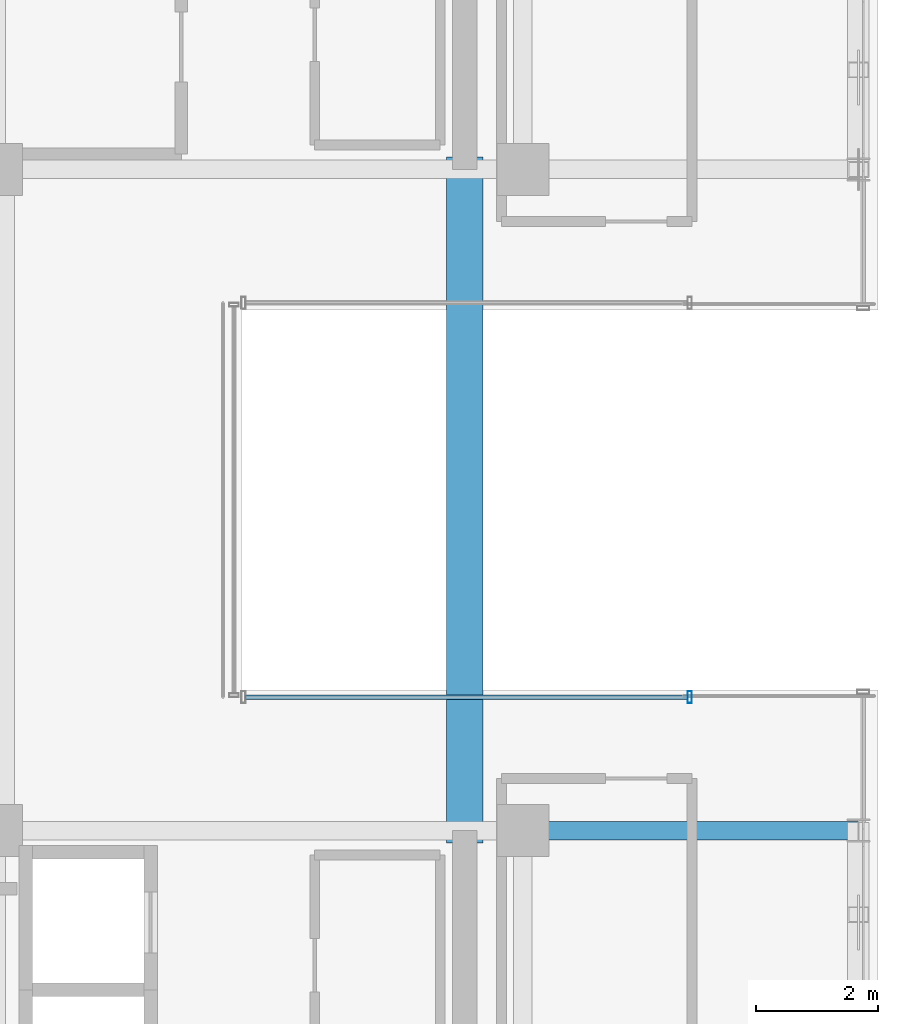
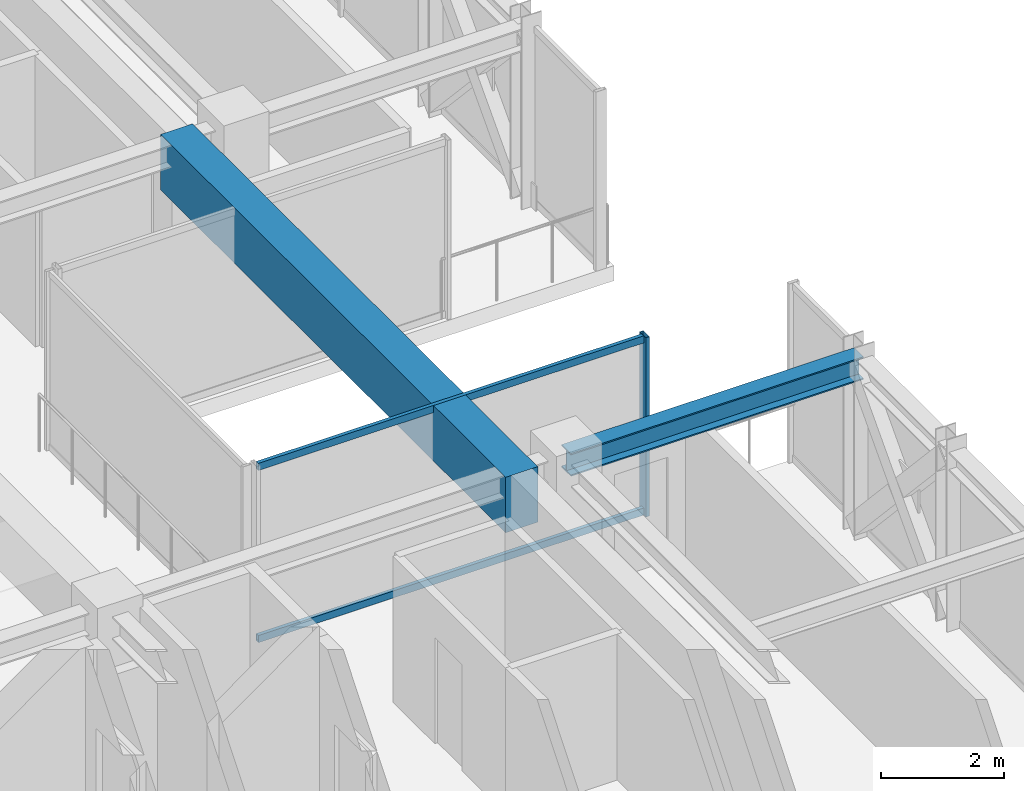
# One storey, part 20 of 41: 3 members, 2 beams, 1 element without a shape of its own.
"""IFC4 building model written with IfcOpenShell, lengths in metres."""

from ifc_helpers import new_model, si_unit, direction, frame, origin, origin_2d, place, context, subcontext, project, spatial, rectangle, hollow_rectangle, i_section, extrude, source, transform, mapped, material, material_profile, profile_set, type_object, element, aggregate, save


model = new_model("IFC4")

# Units and contexts
model_context = context("Model", 3, precision=1e-05, world=origin(), true_north=direction((0.0, 1.0)))
body_context = subcontext(model_context, "Body", "Model", "MODEL_VIEW")
ifc_project = project(units=[si_unit("LENGTHUNIT", "METRE"), si_unit("AREAUNIT", "SQUARE_METRE"), si_unit("VOLUMEUNIT", "CUBIC_METRE"), si_unit("PLANEANGLEUNIT", "RADIAN"), si_unit("MASSUNIT", "GRAM", prefix="KILO")], contexts=[model_context])

# Site, building, storey
site_placement = place(None, origin())
site = spatial("IfcSite", under=ifc_project, at=site_placement, CompositionType="ELEMENT")
building_placement = place(site_placement, origin())
building = spatial("IfcBuilding", under=site, at=building_placement, Name="Nahalor Promenade Grand Hotel", CompositionType="ELEMENT")
storey_placement = place(building_placement, frame((0.0, 0.0, 304.199951171875)))
storey = spatial("IfcBuildingStorey", under=building, at=storey_placement, Name="L78", CompositionType="ELEMENT", Elevation=304.199951171875)

# Beams
ifc_material_1 = material(Name="Concrete B-60 (C50/60)", Category="concrete")
ifc_material_profile_1 = material_profile(ifc_material_1, rectangle(XDim=0.6, YDim=1.1, at=origin_2d()), Name="RC 600x1100")
ifc_profile_set_1 = profile_set([ifc_material_profile_1], Name="Concrete B-60 (C50/60)")
beam_type_1 = type_object("IfcBeamType", Name="Beam-Lintel-RC1100", PredefinedType="LINTEL", material=ifc_profile_set_1)
shared_shape_1 = source(origin(), body_context, "Body", "SweptSolid", [
    extrude(rectangle(XDim=0.6, YDim=1.1, at=origin_2d()), origin(), (0.0, 0.0, 1.0), 11.2001953125),
])
beam_1_placement = place(storey_placement, frame((16.050048828125, -5.60009765625, 3.0), z_axis=(0.0, 1.0, 0.0), x_axis=(-1.0, 0.0, 0.0)))
element("IfcBeam", 1, at=beam_1_placement, inside=storey, type_object=beam_type_1, Name="BM-L78-LINT-E", PredefinedType="LINTEL", context=body_context, shape_type="MappedRepresentation", body=[
    mapped(shared_shape_1, transform((0.0, 0.0, 0.0), scale=1.0)),
])
ifc_material_2 = material(Name="Steel S355JR", Category="steel")
ifc_material_profile_2 = material_profile(ifc_material_2, i_section(OverallWidth=0.3, OverallDepth=0.45, WebThickness=0.014, FlangeThickness=0.026, at=origin_2d()), Name="HEB 450")
ifc_profile_set_2 = profile_set([ifc_material_profile_2], Name="Steel S355JR")
beam_type_2 = type_object("IfcBeamType", Name="Beam-Girder-HEB450", PredefinedType="BEAM", material=ifc_profile_set_2)
shared_shape_2 = source(origin(), body_context, "Body", "SweptSolid", [
    extrude(i_section(OverallWidth=0.3, OverallDepth=0.45, WebThickness=0.014, FlangeThickness=0.026, at=origin_2d()), origin(), (0.0, 0.0, 1.0), 5.47998046875),
])
beam_2_placement = place(storey_placement, frame((17.0, -5.39990234375, 3.324951171875), z_axis=(1.0, 0.0, 0.0), x_axis=(0.0, 1.0, 0.0)))
element("IfcBeam", 2, at=beam_2_placement, inside=storey, type_object=beam_type_2, Name="BM-L78-GX-1-6", PredefinedType="BEAM", context=body_context, shape_type="MappedRepresentation", body=[
    mapped(shared_shape_2, transform((0.0, 0.0, 0.0), scale=1.0)),
])

# Curtain wall, members
ifc_material_3 = material(Name="Anodised Bronze Aluminium EN AW-6063 T6", Category="aluminium")
curtain_wall_type = type_object("IfcCurtainWallType", Name="CW3 Elliptical-Void Collar Unitised Curtain Wall", PredefinedType="USERDEFINED", material=ifc_material_3)
curtain_wall_placement = place(storey_placement, origin())
curtain_wall = element("IfcCurtainWall", 3, at=curtain_wall_placement, inside=storey, type_object=curtain_wall_type, Name="L78 Curtain Wall CW-L78-VOID-ES1", ObjectType="UNITISED_CURTAIN_WALL", PredefinedType="USERDEFINED")
ifc_material_profile_3 = material_profile(ifc_material_3, hollow_rectangle(XDim=0.07, YDim=0.14, WallThickness=0.004, at=origin_2d()), Name="CWT 70x140x4")
ifc_profile_set_3 = profile_set([ifc_material_profile_3], Name="Anodised Bronze Aluminium EN AW-6063 T6")
member_type_1 = type_object("IfcMemberType", Name="CWT3 Void Collar Transom 70x140", PredefinedType="USERDEFINED", material=ifc_profile_set_3)
shared_shape_3 = source(origin(), body_context, "Body", "SweptSolid", [
    extrude(hollow_rectangle(XDim=0.07, YDim=0.14, WallThickness=0.004, at=origin_2d()), origin(), (0.0, 0.0, 1.0), 7.219970703125),
])
member_1_placement = place(storey_placement, frame((12.469970703125, -3.219970703125, 0.070068359375), z_axis=(1.0, 0.0, 0.0), x_axis=(0.0, 1.0, 0.0)))
member_1 = element("IfcMember", 4, at=member_1_placement, type_object=member_type_1, Name="CW-L78-VOID-ES1 Transom 0-0", ObjectType="TRANSOM", PredefinedType="USERDEFINED", context=body_context, shape_type="MappedRepresentation", body=[
    mapped(shared_shape_3, transform((0.0, 0.0, 0.0), scale=1.0)),
])
member_2_placement = place(storey_placement, frame((12.469970703125, -3.219970703125, 3.47998046875), z_axis=(1.0, 0.0, 0.0), x_axis=(0.0, 1.0, 0.0)))
member_2 = element("IfcMember", 5, at=member_2_placement, type_object=member_type_1, Name="CW-L78-VOID-ES1 Transom 0-1", ObjectType="TRANSOM", PredefinedType="USERDEFINED", context=body_context, shape_type="MappedRepresentation", body=[
    mapped(shared_shape_3, transform((0.0, 0.0, 0.0), scale=1.0)),
])
ifc_material_profile_4 = material_profile(ifc_material_3, hollow_rectangle(XDim=0.07, YDim=0.2, WallThickness=0.005, at=origin_2d()), Name="CWM 70x200x5")
ifc_profile_set_4 = profile_set([ifc_material_profile_4], Name="Anodised Bronze Aluminium EN AW-6063 T6")
member_type_2 = type_object("IfcMemberType", Name="CWM3 Void Collar Mullion 70x200", PredefinedType="MULLION", material=ifc_profile_set_4)
shared_shape_4 = source(origin(), body_context, "Body", "SweptSolid", [
    extrude(hollow_rectangle(XDim=0.07, YDim=0.2, WallThickness=0.005, at=origin_2d()), origin(), (0.0, 0.0, 1.0), 3.550048828125),
])
member_3_placement = place(storey_placement, frame((19.72509765625, -3.219970703125, 0.0), z_axis=(0.0, 0.0, 1.0), x_axis=(1.0, 0.0, 0.0)))
member_3 = element("IfcMember", 6, at=member_3_placement, type_object=member_type_2, Name="CW-L78-VOID-ES1 Mullion 1", PredefinedType="MULLION", context=body_context, shape_type="MappedRepresentation", body=[
    mapped(shared_shape_4, transform((0.0, 0.0, 0.0), scale=1.0)),
])
aggregate(curtain_wall, [member_3, member_1, member_2])

save(model, "model.ifc")
